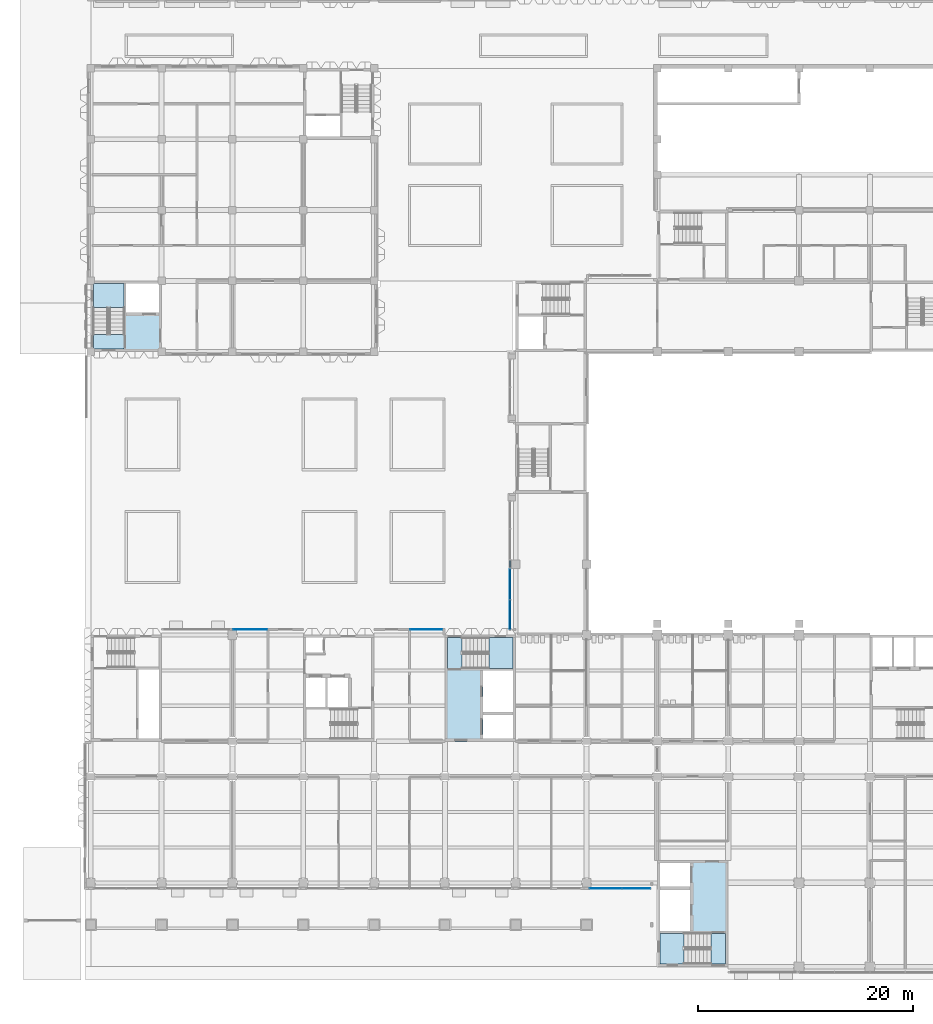
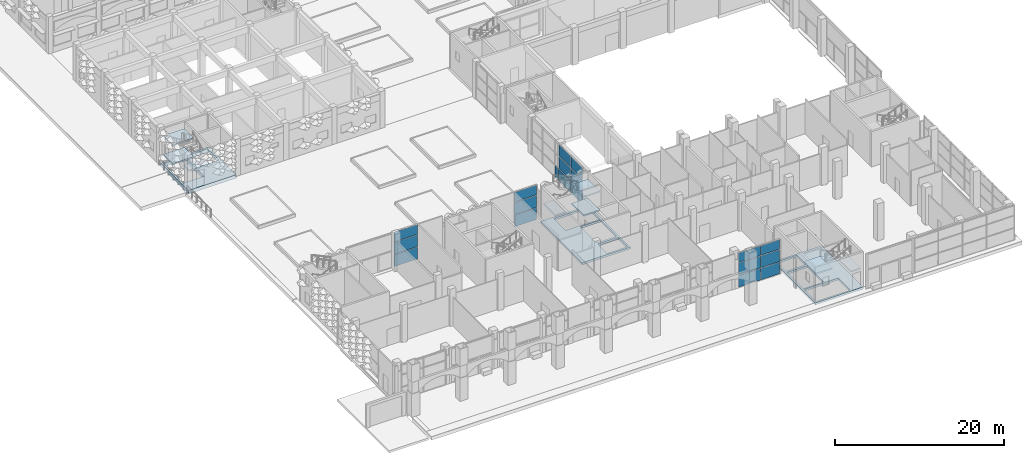
# One storey, part 19 of 85: 19 plates, 11 slabs, 7 elements without a shape of their own.
"""IFC4 building model written with IfcOpenShell, lengths in metres."""

import ifcopenshell
import ifcopenshell.guid

model = None  # the IFC model being written
_history = None  # IfcOwnerHistory: only IFC2X3 demands one
_inside = {}  # id of a spatial element -> (the spatial element, [elements in it])
_under = {}  # id of a project, library or spatial element -> (it, [spatial elements below it])
_declared = {}  # id of a project -> (the project, [libraries it declares])
_typed = {}  # id of a type object -> (the type object, [elements of that type])
_made_of = {}  # id of a material, layer set ... -> (it, [elements and type objects made of it])


def new_model(schema):
    """Start an empty IFC model of exactly this schema.

    Asked for "IFC4X3", IfcOpenShell would pick the latest addendum, in which some entities
    have other attributes; the version numbers below select the first issue.
    IFC2X3 requires an IfcOwnerHistory on every rooted entity: one is made here for all.
    """
    global model, _history
    if schema == "IFC4X3":
        model = ifcopenshell.file(schema_version=(4, 3, 0, 0))
    else:
        model = ifcopenshell.file(schema=schema)
    _inside.clear()
    _under.clear()
    _declared.clear()
    _typed.clear()
    _made_of.clear()
    _history = None
    if model.schema == "IFC2X3":
        org = make("IfcOrganization", Name="unknown")
        user = make(
            "IfcPersonAndOrganization",
            ThePerson=make("IfcPerson", FamilyName="unknown"),
            TheOrganization=org,
        )
        app = make(
            "IfcApplication",
            ApplicationDeveloper=org,
            Version="unknown",
            ApplicationFullName="unknown",
            ApplicationIdentifier="unknown",
        )
        _history = make(
            "IfcOwnerHistory",
            OwningUser=user,
            OwningApplication=app,
            ChangeAction="ADDED",
            CreationDate=0,
        )
    return model


def make(cls, **values):
    """One entity of the class cls with the attributes given. An attribute that is None is left unset."""
    return model.create_entity(
        cls, **{name: value for name, value in values.items() if value is not None}
    )


def rooted(cls, **values):
    """An entity with a GlobalId (a new one), such as an element, a storey or a relation."""
    return make(cls, GlobalId=ifcopenshell.guid.new(), OwnerHistory=_history, **values)


def si_unit(unit_type, name, prefix=None):
    """IfcSIUnit, for example si_unit("LENGTHUNIT", "METRE", prefix="MILLI")."""
    return make("IfcSIUnit", UnitType=unit_type, Prefix=prefix, Name=name)


def assignment(units):
    """IfcUnitAssignment: the units of a project."""
    return None if units is None else make("IfcUnitAssignment", Units=units)


def point(xyz):
    """IfcCartesianPoint."""
    return None if xyz is None else make("IfcCartesianPoint", Coordinates=xyz)


def direction(xyz):
    """IfcDirection."""
    return None if xyz is None else make("IfcDirection", DirectionRatios=xyz)


def frame(location, z_axis=None, x_axis=None):
    """IfcAxis2Placement3D, a coordinate frame: its origin and axes. An axis left out is left unset."""
    return make(
        "IfcAxis2Placement3D",
        Location=point(location),
        Axis=direction(z_axis),
        RefDirection=direction(x_axis),
    )


def frame_2d(location, x_axis=None):
    """IfcAxis2Placement2D, a coordinate frame in the plane: its origin and x axis."""
    return make(
        "IfcAxis2Placement2D", Location=point(location), RefDirection=direction(x_axis)
    )


def origin():
    """The frame at (0, 0, 0) with its axes left unset."""
    return frame((0.0, 0.0, 0.0))


def origin_2d():
    """The frame at (0, 0) in the plane with its x axis left unset."""
    return frame_2d((0.0, 0.0))


def place(relative_to, where):
    """IfcLocalPlacement: puts the frame where relative to a parent placement (None: the world)."""
    return make(
        "IfcLocalPlacement", PlacementRelTo=relative_to, RelativePlacement=where
    )


def context(
    kind, dimensions, precision=None, world=None, true_north=None, identifier=None
):
    """IfcGeometricRepresentationContext, for example the 3D "Model" context."""
    return make(
        "IfcGeometricRepresentationContext",
        ContextIdentifier=identifier,
        ContextType=kind,
        CoordinateSpaceDimension=dimensions,
        Precision=precision,
        WorldCoordinateSystem=world,
        TrueNorth=true_north,
    )


def subcontext(parent, identifier, kind, view, scale=None):
    """IfcGeometricRepresentationSubContext, for example "Body" below "Model"."""
    return make(
        "IfcGeometricRepresentationSubContext",
        ContextIdentifier=identifier,
        ContextType=kind,
        ParentContext=parent,
        TargetScale=scale,
        TargetView=view,
    )


def project(units=None, contexts=None):
    """IfcProject with its units and contexts."""
    return rooted(
        "IfcProject",
        Name="project",
        RepresentationContexts=contexts,
        UnitsInContext=assignment(units),
    )


def spatial(cls, under=None, at=None, **own):
    """A site, building, storey or space (cls), placed at a placement, below another one or the project."""
    s = rooted(cls, ObjectPlacement=at, **own)
    if under is not None:
        _under.setdefault(under.id(), (under, []))[1].append(s)
    return s


def polyline(points):
    """IfcPolyline through the points."""
    return make("IfcPolyline", Points=[point(p) for p in points])


def profile(cls, at=None, kind="AREA", **sizes):
    """A parametric profile (cls). Its sizes go by their IFC names, for example OverallWidth=200.0."""
    return make(cls, ProfileType=kind, Position=at, **sizes)


def rectangle(**sizes):
    """IfcRectangleProfileDef."""
    return profile("IfcRectangleProfileDef", **sizes)


def outline(outer, holes=None, kind="AREA"):
    """IfcArbitraryClosedProfileDef: a profile drawn as a closed curve; with holes, ...WithVoids."""
    if holes is None:
        return make("IfcArbitraryClosedProfileDef", ProfileType=kind, OuterCurve=outer)
    return make(
        "IfcArbitraryProfileDefWithVoids",
        ProfileType=kind,
        OuterCurve=outer,
        InnerCurves=holes,
    )


def extrude(swept, where, along, depth):
    """IfcExtrudedAreaSolid: the profile swept, set in the frame where, extruded along a direction by depth."""
    return make(
        "IfcExtrudedAreaSolid",
        SweptArea=swept,
        Position=where,
        ExtrudedDirection=direction(along),
        Depth=depth,
    )


def shape(context_of_items, identifier, shape_type, items):
    """IfcShapeRepresentation: the items that make up one representation, for example the "Body"."""
    return make(
        "IfcShapeRepresentation",
        ContextOfItems=context_of_items,
        RepresentationIdentifier=identifier,
        RepresentationType=shape_type,
        Items=items,
    )


def material(Name=None, Category=None):
    """IfcMaterial."""
    return make("IfcMaterial", Name=Name, Category=Category)


def layer(
    of_material, thickness, ventilated=None, Name=None, Category=None, Priority=None
):
    """IfcMaterialLayer: one layer of a wall or slab, of a material (None: an air gap)."""
    return make(
        "IfcMaterialLayer",
        Material=of_material,
        LayerThickness=thickness,
        IsVentilated=ventilated,
        Name=Name,
        Category=Category,
        Priority=Priority,
    )


def layer_set(layers, Name=None):
    """IfcMaterialLayerSet."""
    return make("IfcMaterialLayerSet", MaterialLayers=layers, LayerSetName=Name)


def made_of(thing, what):
    """Note that an element or type object is made of a material, layer set ...; save() writes the relation."""
    if what is not None:
        _made_of.setdefault(what.id(), (what, []))[1].append(thing)
    return thing


def type_object(cls, material=None, **own):
    """A type object (cls), such as IfcWallType, which elements share."""
    return made_of(rooted(cls, **own), material)


def element(
    cls,
    number,
    at=None,
    inside=None,
    cuts=None,
    type_object=None,
    material=None,
    context=None,
    identifier="Body",
    shape_type=None,
    held_by="IfcProductDefinitionShape",
    body=None,
    shapes=None,
    **own,
):
    """One element of the class cls, such as IfcWall. Its Tag is "e" and its number.

    at: its placement. inside: the storey or other place that contains it. cuts: it is an
    opening in that element (IfcRelVoidsElement). A single representation is given by context,
    identifier, shape_type and body (its items); several are given by shapes. held_by: the class
    of the entity that holds the representations. save() writes the other relations.
    """
    e = rooted(cls, Tag="e%d" % number, ObjectPlacement=at, **own)
    if body is not None:
        shapes = [shape(context, identifier, shape_type, body)]
    if shapes is not None:
        e.Representation = make(held_by, Representations=shapes)
    if inside is not None:
        _inside.setdefault(inside.id(), (inside, []))[1].append(e)
    if cuts is not None:
        rooted(
            "IfcRelVoidsElement", RelatingBuildingElement=cuts, RelatedOpeningElement=e
        )
    if type_object is not None:
        _typed.setdefault(type_object.id(), (type_object, []))[1].append(e)
    return made_of(e, material)


def aggregate(whole, parts):
    """IfcRelAggregates: a whole, such as a stair, and the parts it consists of."""
    return rooted("IfcRelAggregates", RelatingObject=whole, RelatedObjects=parts)


def save(model, path):
    """Write the relations noted so far, then the file.

    IfcRelAggregates (storeys below a building ...), IfcRelContainedInSpatialStructure (elements
    in a storey), IfcRelDefinesByType, IfcRelAssociatesMaterial and IfcRelDeclares: one each for
    every whole, place, type object, material and project.
    """
    for whole, parts in _under.values():
        aggregate(whole, parts)
    for where, things in _inside.values():
        rooted(
            "IfcRelContainedInSpatialStructure",
            RelatedElements=things,
            RelatingStructure=where,
        )
    for kind, things in _typed.values():
        rooted("IfcRelDefinesByType", RelatedObjects=things, RelatingType=kind)
    for what, things in _made_of.values():
        rooted("IfcRelAssociatesMaterial", RelatedObjects=things, RelatingMaterial=what)
    for by, libraries in _declared.values():
        rooted("IfcRelDeclares", RelatingContext=by, RelatedDefinitions=libraries)
    model.write(path)


model = new_model("IFC4")

# Units and contexts
model_context = context("Model", 3, precision=1e-05, world=origin(), true_north=direction((0.0, 1.0)))
body_context = subcontext(model_context, "Body", "Model", "MODEL_VIEW")
ifc_project = project(units=[si_unit("LENGTHUNIT", "METRE"), si_unit("AREAUNIT", "SQUARE_METRE"), si_unit("VOLUMEUNIT", "CUBIC_METRE"), si_unit("PLANEANGLEUNIT", "RADIAN"), si_unit("MASSUNIT", "GRAM", prefix="KILO")], contexts=[model_context])

# Site, building, storey
site_placement = place(None, origin())
site = spatial("IfcSite", under=ifc_project, at=site_placement, CompositionType="ELEMENT")
building_placement = place(site_placement, origin())
building = spatial("IfcBuilding", under=site, at=building_placement, Name="Lantern Court Research Institute", CompositionType="ELEMENT")
storey_placement = place(building_placement, origin())
storey = spatial("IfcBuildingStorey", under=building, at=storey_placement, Name="L00", CompositionType="ELEMENT", Elevation=0.0)

# Curtain wall, plates
ifc_material_1 = material(Name="Aluminium alloy 6063-T6", Category="aluminium")
curtain_wall_type_1 = type_object("IfcCurtainWallType", Name="Curtain wall 5775 x 5100 x 150 aluminium frame", PredefinedType="NOTDEFINED", material=ifc_material_1)
curtain_wall_1_placement = place(storey_placement, origin())
curtain_wall_1 = element("IfcCurtainWall", 1, at=curtain_wall_1_placement, inside=storey, type_object=curtain_wall_type_1, Name="Curtain wall CW012", PredefinedType="NOTDEFINED")
ifc_material_2 = material(Name="Laminated low-emissivity glass", Category="glass")
ifc_layer_1 = layer(ifc_material_2, 0.0439453125)
ifc_layer_set_1 = layer_set([ifc_layer_1], Name="Laminated low-emissivity glass")
plate_type_1 = type_object("IfcPlateType", Name="Acoustic laminated unit 44 mm over the arcade", PredefinedType="CURTAIN_PANEL", material=ifc_layer_set_1)
plate_1_placement = place(storey_placement, frame((47.982421875, -0.52490234375, 0.080078125), z_axis=(0.0, 0.0, 1.0), x_axis=(-1.0, 0.0, 0.0)))
plate_1 = element("IfcPlate", 2, at=plate_1_placement, type_object=plate_type_1, Name="CW012 glazed panel 1.1", PredefinedType="CURTAIN_PANEL", context=body_context, shape_type="SweptSolid", body=[
    extrude(rectangle(XDim=2.955078125, YDim=0.0439453125, at=origin_2d()), origin(), (0.0, 0.0, 1.0), 1.679931640625),
])
plate_2_placement = place(storey_placement, frame((47.982421875, -0.52490234375, 1.83984375), z_axis=(0.0, 0.0, 1.0), x_axis=(-1.0, 0.0, 0.0)))
plate_2 = element("IfcPlate", 3, at=plate_2_placement, type_object=plate_type_1, Name="CW012 glazed panel 1.2", PredefinedType="CURTAIN_PANEL", context=body_context, shape_type="SweptSolid", body=[
    extrude(rectangle(XDim=2.955078125, YDim=0.0439453125, at=origin_2d()), origin(), (0.0, 0.0, 1.0), 1.719970703125),
])
plate_3_placement = place(storey_placement, frame((47.982421875, -0.52490234375, 3.64013671875), z_axis=(0.0, 0.0, 1.0), x_axis=(-1.0, 0.0, 0.0)))
plate_3 = element("IfcPlate", 4, at=plate_3_placement, type_object=plate_type_1, Name="CW012 glazed panel 1.3", PredefinedType="CURTAIN_PANEL", context=body_context, shape_type="SweptSolid", body=[
    extrude(rectangle(XDim=2.955078125, YDim=0.0439453125, at=origin_2d()), origin(), (0.0, 0.0, 1.0), 1.3798828125),
])
plate_4_placement = place(storey_placement, frame((50.830078125, -0.52490234375, 0.080078125), z_axis=(0.0, 0.0, 1.0), x_axis=(-1.0, 0.0, 0.0)))
plate_4 = element("IfcPlate", 5, at=plate_4_placement, type_object=plate_type_1, Name="CW012 glazed panel 2.1", PredefinedType="CURTAIN_PANEL", context=body_context, shape_type="SweptSolid", body=[
    extrude(rectangle(XDim=2.580078125, YDim=0.0439453125, at=origin_2d()), origin(), (0.0, 0.0, 1.0), 1.679931640625),
])
plate_5_placement = place(storey_placement, frame((50.830078125, -0.52490234375, 1.83984375), z_axis=(0.0, 0.0, 1.0), x_axis=(-1.0, 0.0, 0.0)))
plate_5 = element("IfcPlate", 6, at=plate_5_placement, type_object=plate_type_1, Name="CW012 glazed panel 2.2", PredefinedType="CURTAIN_PANEL", context=body_context, shape_type="SweptSolid", body=[
    extrude(rectangle(XDim=2.580078125, YDim=0.0439453125, at=origin_2d()), origin(), (0.0, 0.0, 1.0), 1.719970703125),
])
plate_6_placement = place(storey_placement, frame((50.830078125, -0.52490234375, 3.64013671875), z_axis=(0.0, 0.0, 1.0), x_axis=(-1.0, 0.0, 0.0)))
plate_6 = element("IfcPlate", 7, at=plate_6_placement, type_object=plate_type_1, Name="CW012 glazed panel 2.3", PredefinedType="CURTAIN_PANEL", context=body_context, shape_type="SweptSolid", body=[
    extrude(rectangle(XDim=2.580078125, YDim=0.0439453125, at=origin_2d()), origin(), (0.0, 0.0, 1.0), 1.3798828125),
])
aggregate(curtain_wall_1, [plate_1, plate_2, plate_3, plate_4, plate_5, plate_6])

ifc_material_3 = material(Name="Aluminium alloy 6063-T6", Category="aluminium")
curtain_wall_type_2 = type_object("IfcCurtainWallType", Name="Curtain wall 12050 x 5400 x 150 aluminium frame", PredefinedType="NOTDEFINED", material=ifc_material_3)
curtain_wall_2_placement = place(storey_placement, origin())
curtain_wall_2 = element("IfcCurtainWall", 8, at=curtain_wall_2_placement, inside=storey, type_object=curtain_wall_type_2, Name="Curtain wall CW004", PredefinedType="NOTDEFINED")
ifc_material_4 = material(Name="Fire-resisting insulated aluminium spandrel panel", Category="aluminium")
ifc_layer_2 = layer(ifc_material_4, 0.1201171875)
ifc_layer_set_2 = layer_set([ifc_layer_2], Name="Fire-resisting insulated aluminium spandrel panel")
plate_type_2 = type_object("IfcPlateType", Name="Fire-resisting spandrel panel 120 mm", PredefinedType="CURTAIN_PANEL", material=ifc_layer_set_2)
plate_7_placement = place(storey_placement, frame((39.074951171875, 25.0, 0.10009765625), z_axis=(0.0, 0.0, 1.0), x_axis=(0.0, 1.0, 0.0)))
plate_7 = element("IfcPlate", 9, at=plate_7_placement, type_object=plate_type_2, Name="CW004 spandrel panel 1.1", PredefinedType="CURTAIN_PANEL", context=body_context, shape_type="SweptSolid", body=[
    extrude(rectangle(XDim=2.699951171875, YDim=0.1201171875, at=origin_2d()), origin(), (0.0, 0.0, 1.0), 1.64990234375),
])
plate_8_placement = place(storey_placement, frame((39.074951171875, 27.85009765625, 0.10009765625), z_axis=(0.0, 0.0, 1.0), x_axis=(0.0, 1.0, 0.0)))
plate_8 = element("IfcPlate", 10, at=plate_8_placement, type_object=plate_type_2, Name="CW004 spandrel panel 2.1", PredefinedType="CURTAIN_PANEL", context=body_context, shape_type="SweptSolid", body=[
    extrude(rectangle(XDim=2.800048828125, YDim=0.1201171875, at=origin_2d()), origin(), (0.0, 0.0, 1.0), 1.64990234375),
])
plate_9_placement = place(storey_placement, frame((39.074951171875, 29.699951171875, 0.10009765625), z_axis=(0.0, 0.0, 1.0), x_axis=(0.0, 1.0, 0.0)))
plate_9 = element("IfcPlate", 11, at=plate_9_placement, type_object=plate_type_2, Name="CW004 spandrel panel 3.1", PredefinedType="CURTAIN_PANEL", context=body_context, shape_type="SweptSolid", body=[
    extrude(rectangle(XDim=0.699951171875, YDim=0.1201171875, at=origin_2d()), origin(), (0.0, 0.0, 1.0), 1.64990234375),
])

# Curtain wall, plate
ifc_material_5 = material(Name="Aluminium alloy 6063-T6", Category="aluminium")
curtain_wall_type_3 = type_object("IfcCurtainWallType", Name="Curtain wall 3300 x 5100 x 150 aluminium frame", PredefinedType="NOTDEFINED", material=ifc_material_5)
curtain_wall_3_placement = place(storey_placement, origin())
curtain_wall_3 = element("IfcCurtainWall", 12, at=curtain_wall_3_placement, inside=storey, type_object=curtain_wall_type_3, Name="Curtain wall CW006", PredefinedType="NOTDEFINED")
ifc_material_6 = material(Name="Insulated aluminium spandrel panel", Category="aluminium")
ifc_layer_3 = layer(ifc_material_6, 0.06005859375)
ifc_layer_set_3 = layer_set([ifc_layer_3], Name="Insulated aluminium spandrel panel")
plate_type_3 = type_object("IfcPlateType", Name="Insulated spandrel panel 60 mm", PredefinedType="CURTAIN_PANEL", material=ifc_layer_set_3)
plate_10_placement = place(storey_placement, frame((14.85009765625, 23.625, 0.06005859375), z_axis=(0.0, 0.0, 1.0), x_axis=(1.0, 0.0, 0.0)))
plate_10 = element("IfcPlate", 13, at=plate_10_placement, type_object=plate_type_3, Name="CW006 spandrel panel 1.1", PredefinedType="CURTAIN_PANEL", context=body_context, shape_type="SweptSolid", body=[
    extrude(rectangle(XDim=3.179931640625, YDim=0.06005859375, at=origin_2d()), origin(), (0.0, 0.0, 1.0), 1.7099609375),
])

ifc_material_7 = material(Name="Aluminium alloy 6063-T6", Category="aluminium")
curtain_wall_type_4 = type_object("IfcCurtainWallType", Name="Curtain wall 3100 x 5100 x 150 aluminium frame", PredefinedType="NOTDEFINED", material=ifc_material_7)
curtain_wall_4_placement = place(storey_placement, origin())
curtain_wall_4 = element("IfcCurtainWall", 14, at=curtain_wall_4_placement, inside=storey, type_object=curtain_wall_type_4, Name="Curtain wall CW007", PredefinedType="NOTDEFINED")
plate_11_placement = place(storey_placement, frame((31.25, 23.625, 0.06005859375), z_axis=(0.0, 0.0, 1.0), x_axis=(1.0, 0.0, 0.0)))
plate_11 = element("IfcPlate", 15, at=plate_11_placement, type_object=plate_type_3, Name="CW007 spandrel panel 1.1", PredefinedType="CURTAIN_PANEL", context=body_context, shape_type="SweptSolid", body=[
    extrude(rectangle(XDim=2.97998046875, YDim=0.06005859375, at=origin_2d()), origin(), (0.0, 0.0, 1.0), 1.7099609375),
])

# Plate
ifc_material_8 = material(Name="Laminated low-emissivity glass", Category="glass")
ifc_layer_4 = layer(ifc_material_8, 0.028076171875)
ifc_layer_set_4 = layer_set([ifc_layer_4], Name="Laminated low-emissivity glass")
plate_type_4 = type_object("IfcPlateType", Name="Laminated low-emissivity unit 28 mm", PredefinedType="CURTAIN_PANEL", material=ifc_layer_set_4)
plate_12_placement = place(storey_placement, frame((39.074951171875, 25.0, 1.85009765625), z_axis=(0.0, 0.0, 1.0), x_axis=(0.0, 1.0, 0.0)))
plate_12 = element("IfcPlate", 16, at=plate_12_placement, type_object=plate_type_4, Name="CW004 glazed panel 1.2", PredefinedType="CURTAIN_PANEL", context=body_context, shape_type="SweptSolid", body=[
    extrude(rectangle(XDim=2.699951171875, YDim=0.028076171875, at=origin_2d()), origin(), (0.0, 0.0, 1.0), 1.699951171875),
])

plate_13_placement = place(storey_placement, frame((39.074951171875, 25.0, 3.650146484375), z_axis=(0.0, 0.0, 1.0), x_axis=(0.0, 1.0, 0.0)))
plate_13 = element("IfcPlate", 17, at=plate_13_placement, type_object=plate_type_4, Name="CW004 glazed panel 1.3", PredefinedType="CURTAIN_PANEL", context=body_context, shape_type="SweptSolid", body=[
    extrude(rectangle(XDim=2.699951171875, YDim=0.028076171875, at=origin_2d()), origin(), (0.0, 0.0, 1.0), 1.64990234375),
])

plate_14_placement = place(storey_placement, frame((39.074951171875, 27.85009765625, 1.85009765625), z_axis=(0.0, 0.0, 1.0), x_axis=(0.0, 1.0, 0.0)))
plate_14 = element("IfcPlate", 18, at=plate_14_placement, type_object=plate_type_4, Name="CW004 glazed panel 2.2", PredefinedType="CURTAIN_PANEL", context=body_context, shape_type="SweptSolid", body=[
    extrude(rectangle(XDim=2.800048828125, YDim=0.028076171875, at=origin_2d()), origin(), (0.0, 0.0, 1.0), 1.699951171875),
])

plate_15_placement = place(storey_placement, frame((39.074951171875, 27.85009765625, 3.650146484375), z_axis=(0.0, 0.0, 1.0), x_axis=(0.0, 1.0, 0.0)))
plate_15 = element("IfcPlate", 19, at=plate_15_placement, type_object=plate_type_4, Name="CW004 glazed panel 2.3", PredefinedType="CURTAIN_PANEL", context=body_context, shape_type="SweptSolid", body=[
    extrude(rectangle(XDim=2.800048828125, YDim=0.028076171875, at=origin_2d()), origin(), (0.0, 0.0, 1.0), 1.64990234375),
])

aggregate(curtain_wall_2, [plate_7, plate_12, plate_13, plate_8, plate_14, plate_15, plate_9])

plate_16_placement = place(storey_placement, frame((14.85009765625, 23.625, 1.830078125), z_axis=(0.0, 0.0, 1.0), x_axis=(1.0, 0.0, 0.0)))
plate_16 = element("IfcPlate", 20, at=plate_16_placement, type_object=plate_type_4, Name="CW006 glazed panel 1.2", PredefinedType="CURTAIN_PANEL", context=body_context, shape_type="SweptSolid", body=[
    extrude(rectangle(XDim=3.179931640625, YDim=0.028076171875, at=origin_2d()), origin(), (0.0, 0.0, 1.0), 1.739990234375),
])

plate_17_placement = place(storey_placement, frame((14.85009765625, 23.625, 3.6298828125), z_axis=(0.0, 0.0, 1.0), x_axis=(1.0, 0.0, 0.0)))
plate_17 = element("IfcPlate", 21, at=plate_17_placement, type_object=plate_type_4, Name="CW006 glazed panel 1.3", PredefinedType="CURTAIN_PANEL", context=body_context, shape_type="SweptSolid", body=[
    extrude(rectangle(XDim=3.179931640625, YDim=0.028076171875, at=origin_2d()), origin(), (0.0, 0.0, 1.0), 1.409912109375),
])

aggregate(curtain_wall_3, [plate_10, plate_16, plate_17])

plate_18_placement = place(storey_placement, frame((31.25, 23.625, 1.830078125), z_axis=(0.0, 0.0, 1.0), x_axis=(1.0, 0.0, 0.0)))
plate_18 = element("IfcPlate", 22, at=plate_18_placement, type_object=plate_type_4, Name="CW007 glazed panel 1.2", PredefinedType="CURTAIN_PANEL", context=body_context, shape_type="SweptSolid", body=[
    extrude(rectangle(XDim=2.97998046875, YDim=0.028076171875, at=origin_2d()), origin(), (0.0, 0.0, 1.0), 1.739990234375),
])

plate_19_placement = place(storey_placement, frame((31.25, 23.625, 3.6298828125), z_axis=(0.0, 0.0, 1.0), x_axis=(1.0, 0.0, 0.0)))
plate_19 = element("IfcPlate", 23, at=plate_19_placement, type_object=plate_type_4, Name="CW007 glazed panel 1.3", PredefinedType="CURTAIN_PANEL", context=body_context, shape_type="SweptSolid", body=[
    extrude(rectangle(XDim=2.97998046875, YDim=0.028076171875, at=origin_2d()), origin(), (0.0, 0.0, 1.0), 1.409912109375),
])

aggregate(curtain_wall_4, [plate_11, plate_18, plate_19])

# Slabs
ifc_material_9 = material(Name="Concrete C35/45", Category="concrete")
ifc_layer_5 = layer(ifc_material_9, 0.300048828125)
ifc_layer_set_5 = layer_set([ifc_layer_5], Name="Concrete C35/45")
slab_type_1 = type_object("IfcSlabType", Name="RC core floor slab 300", PredefinedType="FLOOR", material=ifc_layer_set_5)
slab_1_placement = place(storey_placement, frame((0.0, 0.0, -0.300048828125)))
element("IfcSlab", 24, at=slab_1_placement, inside=storey, type_object=slab_type_1, Name="Floor of core BC-E", PredefinedType="FLOOR", context=body_context, shape_type="SweptSolid", body=[
    extrude(outline(polyline([(33.0, 13.199951171875), (39.60009765625, 13.199951171875), (39.60009765625, 23.10009765625), (33.0, 23.10009765625), (33.0, 13.199951171875)]), holes=[polyline([(34.64990234375, 20.0), (39.35009765625, 20.0), (39.35009765625, 22.85009765625), (34.64990234375, 22.85009765625), (34.64990234375, 20.0)]), polyline([(36.550048828125, 13.449951171875), (39.35009765625, 13.449951171875), (39.35009765625, 15.64990234375), (36.550048828125, 15.64990234375), (36.550048828125, 13.449951171875)]), polyline([(39.35009765625, 15.949951171875), (36.550048828125, 15.949951171875), (36.550048828125, 19.800048828125), (39.35009765625, 19.800048828125), (39.35009765625, 15.949951171875)])]), origin(), (0.0, 0.0, 1.0), 0.300048828125),
])
slab_2_placement = place(storey_placement, frame((0.0, 0.0, -0.300048828125)))
element("IfcSlab", 25, at=slab_2_placement, inside=storey, type_object=slab_type_1, Name="Floor of core TC-W", PredefinedType="FLOOR", context=body_context, shape_type="SweptSolid", body=[
    extrude(outline(polyline([(52.800048828125, -7.800048828125), (59.39990234375, -7.800048828125), (59.39990234375, 2.10009765625), (52.800048828125, 2.10009765625), (52.800048828125, -7.800048828125)]), holes=[polyline([(57.75, -4.699951171875), (53.050048828125, -4.699951171875), (53.050048828125, -7.550048828125), (57.75, -7.550048828125), (57.75, -4.699951171875)]), polyline([(53.050048828125, -0.35009765625), (55.85009765625, -0.35009765625), (55.85009765625, 1.85009765625), (53.050048828125, 1.85009765625), (53.050048828125, -0.35009765625)]), polyline([(53.050048828125, -0.64990234375), (55.85009765625, -0.64990234375), (55.85009765625, -4.5), (53.050048828125, -4.5), (53.050048828125, -0.64990234375)])]), origin(), (0.0, 0.0, 1.0), 0.300048828125),
])
ifc_material_10 = material(Name="Concrete C35/45", Category="concrete")
ifc_layer_6 = layer(ifc_material_10, 0.5)
ifc_layer_set_6 = layer_set([ifc_layer_6], Name="Concrete C35/45")
slab_type_2 = type_object("IfcSlabType", Name="RC core floor slab 500", PredefinedType="FLOOR", material=ifc_layer_set_6)
slab_3_placement = place(storey_placement, frame((0.0, 0.0, -0.5)))
element("IfcSlab", 26, at=slab_3_placement, inside=storey, type_object=slab_type_2, Name="Floor of core CC-A", PredefinedType="FLOOR", context=body_context, shape_type="SweptSolid", body=[
    extrude(outline(polyline([(0.0, 49.5), (6.60009765625, 49.5), (6.60009765625, 56.10009765625), (0.0, 56.10009765625), (0.0, 49.5)]), holes=[polyline([(3.10009765625, 51.14990234375), (3.10009765625, 55.85009765625), (0.25, 55.85009765625), (0.25, 51.14990234375), (3.10009765625, 51.14990234375)]), polyline([(3.300048828125, 53.14990234375), (6.35009765625, 53.14990234375), (6.35009765625, 55.85009765625), (3.300048828125, 55.85009765625), (3.300048828125, 53.14990234375)])]), origin(), (0.0, 0.0, 1.0), 0.5),
])

# Stair, slabs
ifc_material_11 = material(Name="Concrete C40/50", Category="concrete")
stair_type = type_object("IfcStairType", Name="RC half-turn stair 1350 wide, 5400 rise, 6100 shaft", PredefinedType="HALF_TURN_STAIR", material=ifc_material_11)
stair_1_placement = place(storey_placement, origin())
stair_1 = element("IfcStair", 27, at=stair_1_placement, inside=storey, type_object=stair_type, Name="L00 stair ST-B3", PredefinedType="HALF_TURN_STAIR")
ifc_material_12 = material(Name="Concrete C40/50", Category="concrete")
ifc_layer_7 = layer(ifc_material_12, 0.199951171875)
ifc_layer_set_7 = layer_set([ifc_layer_7], Name="Concrete C40/50")
slab_type_3 = type_object("IfcSlabType", Name="RC stair landing 200", PredefinedType="LANDING", material=ifc_layer_set_7)
slab_4_placement = place(storey_placement, frame((0.0, 0.0, 1.14990234375)))
slab_4 = element("IfcSlab", 28, at=slab_4_placement, type_object=slab_type_3, Name="ST-B3 landing 1", PredefinedType="LANDING", context=body_context, shape_type="SweptSolid", body=[
    extrude(outline(polyline([(37.1201171875, 20.0), (39.35009765625, 20.0), (39.35009765625, 22.85009765625), (37.1201171875, 22.85009765625), (37.1201171875, 20.0)])), origin(), (0.0, 0.0, 1.0), 0.2001953125),
])
slab_5_placement = place(storey_placement, frame((0.0, 0.0, 2.5)))
slab_5 = element("IfcSlab", 29, at=slab_5_placement, type_object=slab_type_3, Name="ST-B3 landing 2", PredefinedType="LANDING", context=body_context, shape_type="SweptSolid", body=[
    extrude(outline(polyline([(33.25, 20.0), (34.60009765625, 20.0), (34.60009765625, 22.85009765625), (33.25, 22.85009765625), (33.25, 20.0)])), origin(), (0.0, 0.0, 1.0), 0.199951171875),
])
slab_6_placement = place(storey_placement, frame((0.0, 0.0, 3.85009765625)))
slab_6 = element("IfcSlab", 30, at=slab_6_placement, type_object=slab_type_3, Name="ST-B3 landing 3", PredefinedType="LANDING", context=body_context, shape_type="SweptSolid", body=[
    extrude(outline(polyline([(37.1201171875, 20.0), (39.35009765625, 20.0), (39.35009765625, 22.85009765625), (37.1201171875, 22.85009765625), (37.1201171875, 20.0)])), origin(), (0.0, 0.0, 1.0), 0.199951171875),
])
aggregate(stair_1, [slab_4, slab_5, slab_6])

stair_2_placement = place(storey_placement, origin())
stair_2 = element("IfcStair", 31, at=stair_2_placement, inside=storey, type_object=stair_type, Name="L00 stair ST-T1", PredefinedType="HALF_TURN_STAIR")
slab_7_placement = place(storey_placement, frame((0.0, 0.0, 2.5)))
slab_7 = element("IfcSlab", 32, at=slab_7_placement, type_object=slab_type_3, Name="ST-T1 landing 2", PredefinedType="LANDING", context=body_context, shape_type="SweptSolid", body=[
    extrude(outline(polyline([(59.14990234375, -4.699951171875), (57.800048828125, -4.699951171875), (57.800048828125, -7.550048828125), (59.14990234375, -7.550048828125), (59.14990234375, -4.699951171875)])), origin(), (0.0, 0.0, 1.0), 0.199951171875),
])
slab_8_placement = place(storey_placement, frame((0.0, 0.0, 3.85009765625)))
slab_8 = element("IfcSlab", 33, at=slab_8_placement, type_object=slab_type_3, Name="ST-T1 landing 3", PredefinedType="LANDING", context=body_context, shape_type="SweptSolid", body=[
    extrude(outline(polyline([(55.280029296875, -4.699951171875), (53.050048828125, -4.699951171875), (53.050048828125, -7.550048828125), (55.280029296875, -7.550048828125), (55.280029296875, -4.699951171875)])), origin(), (0.0, 0.0, 1.0), 0.199951171875),
])
aggregate(stair_2, [slab_7, slab_8])

stair_3_placement = place(storey_placement, origin())
stair_3 = element("IfcStair", 34, at=stair_3_placement, inside=storey, type_object=stair_type, Name="L00 stair ST-C1", PredefinedType="HALF_TURN_STAIR")
slab_9_placement = place(storey_placement, frame((0.0, 0.0, 1.14990234375)))
slab_9 = element("IfcSlab", 35, at=slab_9_placement, type_object=slab_type_3, Name="ST-C1 landing 1", PredefinedType="LANDING", context=body_context, shape_type="SweptSolid", body=[
    extrude(outline(polyline([(3.10009765625, 53.6201171875), (3.10009765625, 55.85009765625), (0.25, 55.85009765625), (0.25, 53.6201171875), (3.10009765625, 53.6201171875)])), origin(), (0.0, 0.0, 1.0), 0.2001953125),
])
slab_10_placement = place(storey_placement, frame((0.0, 0.0, 2.5)))
slab_10 = element("IfcSlab", 36, at=slab_10_placement, type_object=slab_type_3, Name="ST-C1 landing 2", PredefinedType="LANDING", context=body_context, shape_type="SweptSolid", body=[
    extrude(outline(polyline([(3.10009765625, 49.75), (3.10009765625, 51.10009765625), (0.25, 51.10009765625), (0.25, 49.75), (3.10009765625, 49.75)])), origin(), (0.0, 0.0, 1.0), 0.199951171875),
])
slab_11_placement = place(storey_placement, frame((0.0, 0.0, 3.85009765625)))
slab_11 = element("IfcSlab", 37, at=slab_11_placement, type_object=slab_type_3, Name="ST-C1 landing 3", PredefinedType="LANDING", context=body_context, shape_type="SweptSolid", body=[
    extrude(outline(polyline([(3.10009765625, 53.6201171875), (3.10009765625, 55.85009765625), (0.25, 55.85009765625), (0.25, 53.6201171875), (3.10009765625, 53.6201171875)])), origin(), (0.0, 0.0, 1.0), 0.199951171875),
])
aggregate(stair_3, [slab_9, slab_10, slab_11])

save(model, "model.ifc")
